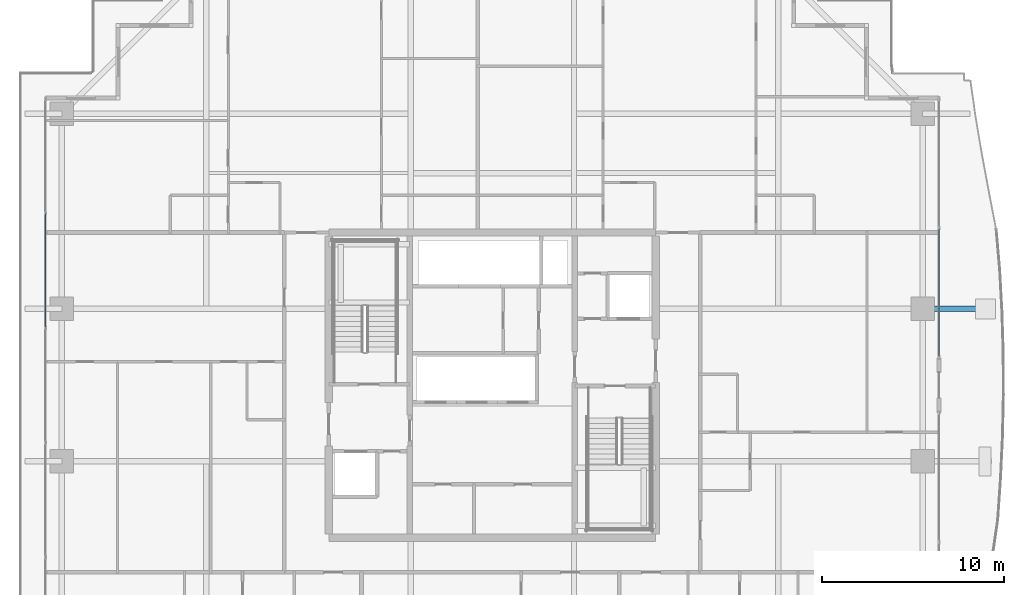
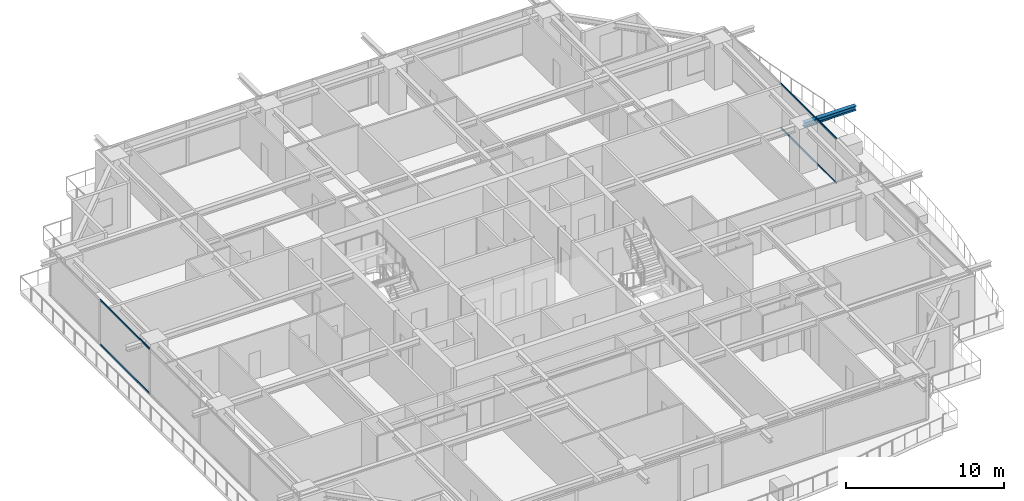
# One storey, part 16 of 37: 4 members, 1 beam, 2 elements without a shape of their own.
"""IFC4 building model written with IfcOpenShell, lengths in metres."""

import ifcopenshell
import ifcopenshell.guid

model = None  # the IFC model being written
_history = None  # IfcOwnerHistory: only IFC2X3 demands one
_inside = {}  # id of a spatial element -> (the spatial element, [elements in it])
_under = {}  # id of a project, library or spatial element -> (it, [spatial elements below it])
_declared = {}  # id of a project -> (the project, [libraries it declares])
_typed = {}  # id of a type object -> (the type object, [elements of that type])
_made_of = {}  # id of a material, layer set ... -> (it, [elements and type objects made of it])


def new_model(schema):
    """Start an empty IFC model of exactly this schema.

    Asked for "IFC4X3", IfcOpenShell would pick the latest addendum, in which some entities
    have other attributes; the version numbers below select the first issue.
    IFC2X3 requires an IfcOwnerHistory on every rooted entity: one is made here for all.
    """
    global model, _history
    if schema == "IFC4X3":
        model = ifcopenshell.file(schema_version=(4, 3, 0, 0))
    else:
        model = ifcopenshell.file(schema=schema)
    _inside.clear()
    _under.clear()
    _declared.clear()
    _typed.clear()
    _made_of.clear()
    _history = None
    if model.schema == "IFC2X3":
        org = make("IfcOrganization", Name="unknown")
        user = make(
            "IfcPersonAndOrganization",
            ThePerson=make("IfcPerson", FamilyName="unknown"),
            TheOrganization=org,
        )
        app = make(
            "IfcApplication",
            ApplicationDeveloper=org,
            Version="unknown",
            ApplicationFullName="unknown",
            ApplicationIdentifier="unknown",
        )
        _history = make(
            "IfcOwnerHistory",
            OwningUser=user,
            OwningApplication=app,
            ChangeAction="ADDED",
            CreationDate=0,
        )
    return model


def make(cls, **values):
    """One entity of the class cls with the attributes given. An attribute that is None is left unset."""
    return model.create_entity(
        cls, **{name: value for name, value in values.items() if value is not None}
    )


def rooted(cls, **values):
    """An entity with a GlobalId (a new one), such as an element, a storey or a relation."""
    return make(cls, GlobalId=ifcopenshell.guid.new(), OwnerHistory=_history, **values)


def si_unit(unit_type, name, prefix=None):
    """IfcSIUnit, for example si_unit("LENGTHUNIT", "METRE", prefix="MILLI")."""
    return make("IfcSIUnit", UnitType=unit_type, Prefix=prefix, Name=name)


def assignment(units):
    """IfcUnitAssignment: the units of a project."""
    return None if units is None else make("IfcUnitAssignment", Units=units)


def point(xyz):
    """IfcCartesianPoint."""
    return None if xyz is None else make("IfcCartesianPoint", Coordinates=xyz)


def direction(xyz):
    """IfcDirection."""
    return None if xyz is None else make("IfcDirection", DirectionRatios=xyz)


def frame(location, z_axis=None, x_axis=None):
    """IfcAxis2Placement3D, a coordinate frame: its origin and axes. An axis left out is left unset."""
    return make(
        "IfcAxis2Placement3D",
        Location=point(location),
        Axis=direction(z_axis),
        RefDirection=direction(x_axis),
    )


def frame_2d(location, x_axis=None):
    """IfcAxis2Placement2D, a coordinate frame in the plane: its origin and x axis."""
    return make(
        "IfcAxis2Placement2D", Location=point(location), RefDirection=direction(x_axis)
    )


def origin():
    """The frame at (0, 0, 0) with its axes left unset."""
    return frame((0.0, 0.0, 0.0))


def origin_2d():
    """The frame at (0, 0) in the plane with its x axis left unset."""
    return frame_2d((0.0, 0.0))


def place(relative_to, where):
    """IfcLocalPlacement: puts the frame where relative to a parent placement (None: the world)."""
    return make(
        "IfcLocalPlacement", PlacementRelTo=relative_to, RelativePlacement=where
    )


def context(
    kind, dimensions, precision=None, world=None, true_north=None, identifier=None
):
    """IfcGeometricRepresentationContext, for example the 3D "Model" context."""
    return make(
        "IfcGeometricRepresentationContext",
        ContextIdentifier=identifier,
        ContextType=kind,
        CoordinateSpaceDimension=dimensions,
        Precision=precision,
        WorldCoordinateSystem=world,
        TrueNorth=true_north,
    )


def subcontext(parent, identifier, kind, view, scale=None):
    """IfcGeometricRepresentationSubContext, for example "Body" below "Model"."""
    return make(
        "IfcGeometricRepresentationSubContext",
        ContextIdentifier=identifier,
        ContextType=kind,
        ParentContext=parent,
        TargetScale=scale,
        TargetView=view,
    )


def project(units=None, contexts=None):
    """IfcProject with its units and contexts."""
    return rooted(
        "IfcProject",
        Name="project",
        RepresentationContexts=contexts,
        UnitsInContext=assignment(units),
    )


def spatial(cls, under=None, at=None, **own):
    """A site, building, storey or space (cls), placed at a placement, below another one or the project."""
    s = rooted(cls, ObjectPlacement=at, **own)
    if under is not None:
        _under.setdefault(under.id(), (under, []))[1].append(s)
    return s


def profile(cls, at=None, kind="AREA", **sizes):
    """A parametric profile (cls). Its sizes go by their IFC names, for example OverallWidth=200.0."""
    return make(cls, ProfileType=kind, Position=at, **sizes)


def hollow_rectangle(**sizes):
    """IfcRectangleHollowProfileDef."""
    return profile("IfcRectangleHollowProfileDef", **sizes)


def i_section(**sizes):
    """IfcIShapeProfileDef."""
    return profile("IfcIShapeProfileDef", **sizes)


def extrude(swept, where, along, depth):
    """IfcExtrudedAreaSolid: the profile swept, set in the frame where, extruded along a direction by depth."""
    return make(
        "IfcExtrudedAreaSolid",
        SweptArea=swept,
        Position=where,
        ExtrudedDirection=direction(along),
        Depth=depth,
    )


def shape(context_of_items, identifier, shape_type, items):
    """IfcShapeRepresentation: the items that make up one representation, for example the "Body"."""
    return make(
        "IfcShapeRepresentation",
        ContextOfItems=context_of_items,
        RepresentationIdentifier=identifier,
        RepresentationType=shape_type,
        Items=items,
    )


def source(mapping_origin, context_of_items, identifier, shape_type, items):
    """IfcRepresentationMap: a shape defined once, which mapped items show again and again."""
    return make(
        "IfcRepresentationMap",
        MappingOrigin=mapping_origin,
        MappedRepresentation=shape(context_of_items, identifier, shape_type, items),
    )


def transform(
    local_origin,
    x_axis=None,
    y_axis=None,
    z_axis=None,
    scale=None,
    scale2=None,
    scale3=None,
    uniform=True,
):
    """IfcCartesianTransformationOperator3D, or its non-uniform kind. x_axis, y_axis, z_axis: its Axis1, 2, 3."""
    if uniform:
        return make(
            "IfcCartesianTransformationOperator3D",
            Axis1=direction(x_axis),
            Axis2=direction(y_axis),
            LocalOrigin=point(local_origin),
            Scale=scale,
            Axis3=direction(z_axis),
        )
    return make(
        "IfcCartesianTransformationOperator3DnonUniform",
        Axis1=direction(x_axis),
        Axis2=direction(y_axis),
        LocalOrigin=point(local_origin),
        Scale=scale,
        Axis3=direction(z_axis),
        Scale2=scale2,
        Scale3=scale3,
    )


def mapped(mapping_source, mapping_target):
    """IfcMappedItem: shows the shape of a source again, moved by a transform."""
    return make(
        "IfcMappedItem", MappingSource=mapping_source, MappingTarget=mapping_target
    )


def material(Name=None, Category=None):
    """IfcMaterial."""
    return make("IfcMaterial", Name=Name, Category=Category)


def layer(
    of_material, thickness, ventilated=None, Name=None, Category=None, Priority=None
):
    """IfcMaterialLayer: one layer of a wall or slab, of a material (None: an air gap)."""
    return make(
        "IfcMaterialLayer",
        Material=of_material,
        LayerThickness=thickness,
        IsVentilated=ventilated,
        Name=Name,
        Category=Category,
        Priority=Priority,
    )


def layer_set(layers, Name=None):
    """IfcMaterialLayerSet."""
    return make("IfcMaterialLayerSet", MaterialLayers=layers, LayerSetName=Name)


def material_profile(
    of_material, cross_section, Name=None, Category=None, Priority=None
):
    """IfcMaterialProfile: a cross section and its material."""
    return make(
        "IfcMaterialProfile",
        Name=Name,
        Material=of_material,
        Profile=cross_section,
        Priority=Priority,
        Category=Category,
    )


def profile_set(profiles, Name=None, composite=None):
    """IfcMaterialProfileSet."""
    return make(
        "IfcMaterialProfileSet",
        Name=Name,
        MaterialProfiles=profiles,
        CompositeProfile=composite,
    )


def made_of(thing, what):
    """Note that an element or type object is made of a material, layer set ...; save() writes the relation."""
    if what is not None:
        _made_of.setdefault(what.id(), (what, []))[1].append(thing)
    return thing


def type_object(cls, material=None, **own):
    """A type object (cls), such as IfcWallType, which elements share."""
    return made_of(rooted(cls, **own), material)


def element(
    cls,
    number,
    at=None,
    inside=None,
    cuts=None,
    type_object=None,
    material=None,
    context=None,
    identifier="Body",
    shape_type=None,
    held_by="IfcProductDefinitionShape",
    body=None,
    shapes=None,
    **own,
):
    """One element of the class cls, such as IfcWall. Its Tag is "e" and its number.

    at: its placement. inside: the storey or other place that contains it. cuts: it is an
    opening in that element (IfcRelVoidsElement). A single representation is given by context,
    identifier, shape_type and body (its items); several are given by shapes. held_by: the class
    of the entity that holds the representations. save() writes the other relations.
    """
    e = rooted(cls, Tag="e%d" % number, ObjectPlacement=at, **own)
    if body is not None:
        shapes = [shape(context, identifier, shape_type, body)]
    if shapes is not None:
        e.Representation = make(held_by, Representations=shapes)
    if inside is not None:
        _inside.setdefault(inside.id(), (inside, []))[1].append(e)
    if cuts is not None:
        rooted(
            "IfcRelVoidsElement", RelatingBuildingElement=cuts, RelatedOpeningElement=e
        )
    if type_object is not None:
        _typed.setdefault(type_object.id(), (type_object, []))[1].append(e)
    return made_of(e, material)


def aggregate(whole, parts):
    """IfcRelAggregates: a whole, such as a stair, and the parts it consists of."""
    return rooted("IfcRelAggregates", RelatingObject=whole, RelatedObjects=parts)


def save(model, path):
    """Write the relations noted so far, then the file.

    IfcRelAggregates (storeys below a building ...), IfcRelContainedInSpatialStructure (elements
    in a storey), IfcRelDefinesByType, IfcRelAssociatesMaterial and IfcRelDeclares: one each for
    every whole, place, type object, material and project.
    """
    for whole, parts in _under.values():
        aggregate(whole, parts)
    for where, things in _inside.values():
        rooted(
            "IfcRelContainedInSpatialStructure",
            RelatedElements=things,
            RelatingStructure=where,
        )
    for kind, things in _typed.values():
        rooted("IfcRelDefinesByType", RelatedObjects=things, RelatingType=kind)
    for what, things in _made_of.values():
        rooted("IfcRelAssociatesMaterial", RelatedObjects=things, RelatingMaterial=what)
    for by, libraries in _declared.values():
        rooted("IfcRelDeclares", RelatingContext=by, RelatedDefinitions=libraries)
    model.write(path)


model = new_model("IFC4")

# Units and contexts
model_context = context("Model", 3, precision=1e-05, world=origin(), true_north=direction((0.0, 1.0)))
body_context = subcontext(model_context, "Body", "Model", "MODEL_VIEW")
ifc_project = project(units=[si_unit("LENGTHUNIT", "METRE"), si_unit("AREAUNIT", "SQUARE_METRE"), si_unit("VOLUMEUNIT", "CUBIC_METRE"), si_unit("PLANEANGLEUNIT", "RADIAN"), si_unit("MASSUNIT", "GRAM", prefix="KILO")], contexts=[model_context])

# Site, building, storey
site_placement = place(None, origin())
site = spatial("IfcSite", under=ifc_project, at=site_placement, CompositionType="ELEMENT")
building_placement = place(site_placement, origin())
building = spatial("IfcBuilding", under=site, at=building_placement, Name="Serunith Strait Residences", CompositionType="ELEMENT")
storey_placement = place(building_placement, frame((0.0, 0.0, 161.39990234375)))
storey = spatial("IfcBuildingStorey", under=building, at=storey_placement, Name="L40", CompositionType="ELEMENT", Elevation=161.39990234375)

# Beam
ifc_material_1 = material(Name="Steel S355J2", Category="steel")
ifc_material_profile_1 = material_profile(ifc_material_1, i_section(OverallWidth=0.300048828125, OverallDepth=0.360107421875, WebThickness=0.012451171875, FlangeThickness=0.0224609375, FilletRadius=0.027099609375, at=origin_2d()), Name="HEB 360")
ifc_profile_set_1 = profile_set([ifc_material_profile_1], Name="Steel S355J2")
beam_type = type_object("IfcBeamType", Name="BM-HEB360", PredefinedType="BEAM", material=ifc_profile_set_1)
shared_shape_1 = source(origin(), body_context, "Body", "SweptSolid", [
    extrude(i_section(OverallWidth=0.300048828125, OverallDepth=0.360107421875, WebThickness=0.012451171875, FlangeThickness=0.0224609375, FilletRadius=0.027099609375, at=origin_2d()), origin(), (0.0, 0.0, 1.0), 3.7998046875),
])
beam_placement = place(storey_placement, frame((56.10009765625, 29.39990234375, 3.277099609375), z_axis=(1.0, 0.0, 0.0), x_axis=(0.0, 1.0, 0.0)))
element("IfcBeam", 1, at=beam_placement, inside=storey, type_object=beam_type, Name="L41 Cantilevered Balcony Rib TC-E3", PredefinedType="BEAM", context=body_context, shape_type="MappedRepresentation", body=[
    mapped(shared_shape_1, transform((0.0, 0.0, 0.0), scale=1.0)),
])

# Curtain wall, members
ifc_material_2 = material(Name="Pale-Champagne Anodised Aluminium", Category="aluminium")
ifc_layer = layer(ifc_material_2, 0.199951171875, Name="Pale-Champagne Anodised Aluminium")
ifc_layer_set = layer_set([ifc_layer], Name="Pale-Champagne Anodised Aluminium")
curtain_wall_type = type_object("IfcCurtainWallType", Name="CW-SYS2", PredefinedType="NOTDEFINED", material=ifc_layer_set)
curtain_wall_1_placement = place(storey_placement, origin())
curtain_wall_1 = element("IfcCurtainWall", 2, at=curtain_wall_1_placement, inside=storey, type_object=curtain_wall_type, Name="L40 W Unitised Fritted Curtain Wall", PredefinedType="NOTDEFINED")
ifc_material_profile_2 = material_profile(ifc_material_2, hollow_rectangle(XDim=0.06005859375, YDim=0.139892578125, WallThickness=0.00341796875, InnerFilletRadius=0.00537109375, OuterFilletRadius=0.0087890625, at=origin_2d()), Name="ALU 140x60x3.5")
ifc_profile_set_2 = profile_set([ifc_material_profile_2], Name="Pale-Champagne Anodised Aluminium")
member_type = type_object("IfcMemberType", Name="CW-SYS2-TRAN", PredefinedType="USERDEFINED", material=ifc_profile_set_2)
shared_shape_2 = source(origin(), body_context, "Body", "SweptSolid", [
    extrude(hollow_rectangle(XDim=0.06005859375, YDim=0.139892578125, WallThickness=0.00341796875, InnerFilletRadius=0.00537109375, OuterFilletRadius=0.0087890625, at=origin_2d()), origin(), (0.0, 0.0, 1.0), 6.25),
])
member_1_placement = place(storey_placement, frame((7.800048828125, 34.64501953125, 0.030029296875), z_axis=(0.0, -1.0, 0.0), x_axis=(1.0, 0.0, 0.0)))
member_1 = element("IfcMember", 3, at=member_1_placement, type_object=member_type, Name="CW-2 transom 2.1", ObjectType="TRANSOM", PredefinedType="USERDEFINED", context=body_context, shape_type="MappedRepresentation", body=[
    mapped(shared_shape_2, transform((0.0, 0.0, 0.0), scale=1.0)),
])
member_2_placement = place(storey_placement, frame((7.800048828125, 34.64501953125, 3.445068359375), z_axis=(0.0, -1.0, 0.0), x_axis=(1.0, 0.0, 0.0)))
member_2 = element("IfcMember", 4, at=member_2_placement, type_object=member_type, Name="CW-2 transom 2.2", ObjectType="TRANSOM", PredefinedType="USERDEFINED", context=body_context, shape_type="MappedRepresentation", body=[
    mapped(shared_shape_2, transform((0.0, 0.0, 0.0), scale=1.0)),
])
aggregate(curtain_wall_1, [member_1, member_2])

curtain_wall_2_placement = place(storey_placement, origin())
curtain_wall_2 = element("IfcCurtainWall", 5, at=curtain_wall_2_placement, inside=storey, type_object=curtain_wall_type, Name="L40 E Unitised Fritted Curtain Wall", PredefinedType="NOTDEFINED")
shared_shape_3 = source(origin(), body_context, "Body", "SweptSolid", [
    extrude(hollow_rectangle(XDim=0.06005859375, YDim=0.139892578125, WallThickness=0.00341796875, InnerFilletRadius=0.00537109375, OuterFilletRadius=0.0087890625, at=origin_2d()), origin(), (0.0, 0.0, 1.0), 7.044921875),
])
member_3_placement = place(storey_placement, frame((57.0, 26.77001953125, 0.030029296875), z_axis=(0.0, 1.0, 0.0), x_axis=(-1.0, 0.0, 0.0)))
member_3 = element("IfcMember", 6, at=member_3_placement, type_object=member_type, Name="CW-2 transom 1.1", ObjectType="TRANSOM", PredefinedType="USERDEFINED", context=body_context, shape_type="MappedRepresentation", body=[
    mapped(shared_shape_3, transform((0.0, 0.0, 0.0), scale=1.0)),
])
member_4_placement = place(storey_placement, frame((57.0, 26.77001953125, 3.445068359375), z_axis=(0.0, 1.0, 0.0), x_axis=(-1.0, 0.0, 0.0)))
member_4 = element("IfcMember", 7, at=member_4_placement, type_object=member_type, Name="CW-2 transom 1.2", ObjectType="TRANSOM", PredefinedType="USERDEFINED", context=body_context, shape_type="MappedRepresentation", body=[
    mapped(shared_shape_3, transform((0.0, 0.0, 0.0), scale=1.0)),
])
aggregate(curtain_wall_2, [member_3, member_4])

save(model, "model.ifc")
